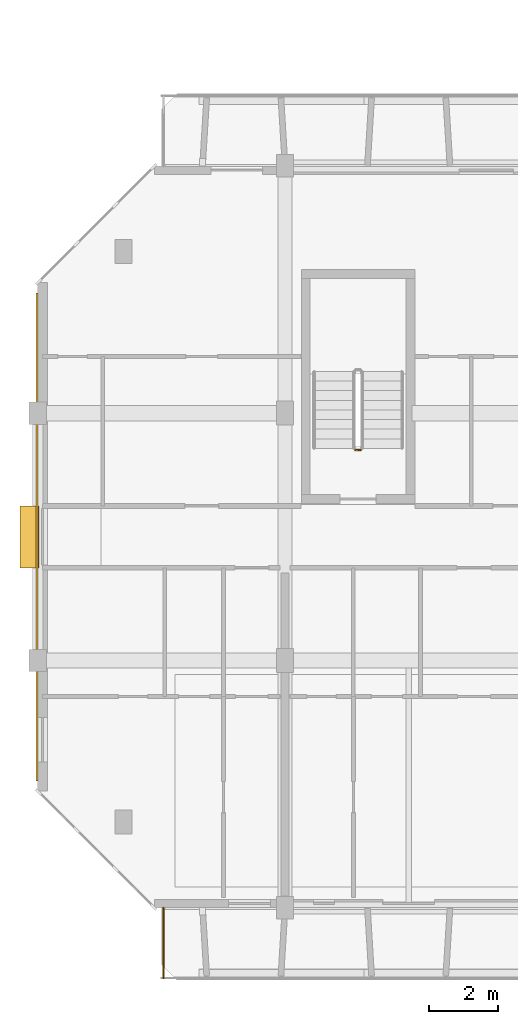
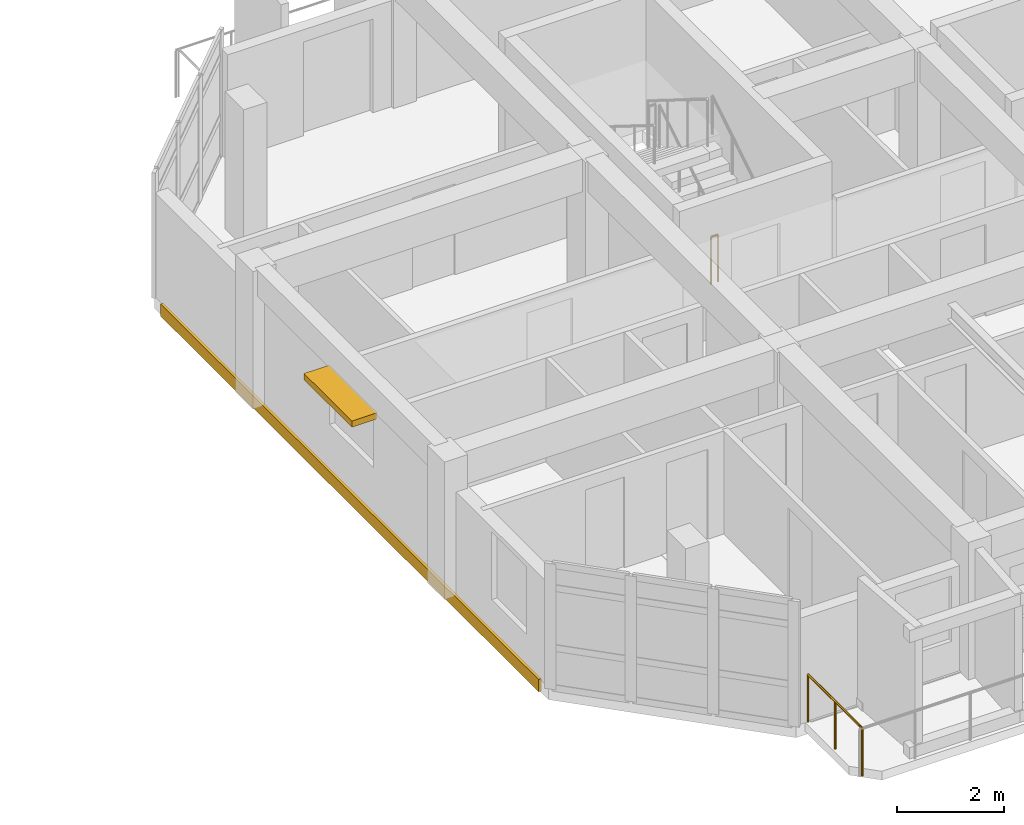
# One storey, part 33 of 43: 2 railings, 1 covering, 1 shading device.
"""IFC4 building model written with IfcOpenShell, lengths in metres."""

from ifc_helpers import new_model, si_unit, direction, frame, origin, origin_2d, place, context, subcontext, project, spatial, rectangle, circle, extrude, material, layer, layer_set, type_object, element, save


model = new_model("IFC4")

# Units and contexts
model_context = context("Model", 3, precision=1e-05, world=origin(), true_north=direction((0.0, 1.0)))
body_context = subcontext(model_context, "Body", "Model", "MODEL_VIEW")
ifc_project = project(units=[si_unit("LENGTHUNIT", "METRE"), si_unit("AREAUNIT", "SQUARE_METRE"), si_unit("VOLUMEUNIT", "CUBIC_METRE"), si_unit("PLANEANGLEUNIT", "RADIAN"), si_unit("MASSUNIT", "GRAM", prefix="KILO")], contexts=[model_context])

# Site, building, storey
site_placement = place(None, origin())
site = spatial("IfcSite", under=ifc_project, at=site_placement, CompositionType="ELEMENT")
building_placement = place(site_placement, origin())
building = spatial("IfcBuilding", under=site, at=building_placement, Name="Ochrevale Crest", CompositionType="ELEMENT")
storey_placement = place(building_placement, frame((0.0, 0.0, 15.0)))
storey = spatial("IfcBuildingStorey", under=building, at=storey_placement, Name="L04", CompositionType="ELEMENT", Elevation=15.0)

# Covering
ifc_material_1 = material(Name="Glazed terracotta rainscreen tile", Category="masonry")
ifc_layer = layer(ifc_material_1, 0.048095703125)
ifc_layer_set = layer_set([ifc_layer], Name="Glazed terracotta rainscreen tile")
covering_type = type_object("IfcCoveringType", Name="COV-CLAD-TER", PredefinedType="CLADDING", material=ifc_layer_set)
covering_placement = place(storey_placement, frame((-0.014404296875, 25.199951171875, -0.26025390625), z_axis=(0.0, 0.0, 1.0), x_axis=(0.0, -1.0, 0.0)))
element("IfcCovering", 1, at=covering_placement, inside=storey, type_object=covering_type, Name="Block A L04 terracotta slab-edge spandrel cladding", PredefinedType="CLADDING", context=body_context, shape_type="SweptSolid", body=[
    extrude(rectangle(XDim=14.199951171875, YDim=0.06005859375, at=origin_2d()), origin(), (0.0, 0.0, 1.0), 0.280029296875),
])

# Railings
ifc_material_2 = material(Name="Galvanised steel", Category="steel")
railing_type_1 = type_object("IfcRailingType", Name="RL-BAL-1100", PredefinedType="BALUSTRADE", material=ifc_material_2)
railing_1_placement = place(storey_placement, frame((3.659912109375, 14.39990234375, 0.0)))
element("IfcRailing", 2, at=railing_1_placement, inside=storey, type_object=railing_type_1, Name="Block A L04 S-W balcony side guard", PredefinedType="BALUSTRADE", context=body_context, shape_type="SweptSolid", body=[
    extrude(circle(Radius=0.02392578125, at=origin_2d()), frame((0.0, 0.0, 1.0859375), z_axis=(0.0, -1.0, 0.0), x_axis=(1.0, 0.0, 0.0)), (0.0, 0.0, 1.0), 2.039794921875),
    extrude(circle(Radius=0.02099609375, at=origin_2d()), origin(), (0.0, 0.0, 1.0), 1.06201171875),
    extrude(circle(Radius=0.02099609375, at=origin_2d()), frame((0.0, -1.02001953125, 0.0)), (0.0, 0.0, 1.0), 1.06201171875),
    extrude(circle(Radius=0.02099609375, at=origin_2d()), frame((0.0, -2.039794921875, 0.0)), (0.0, 0.0, 1.0), 1.06201171875),
])
railing_type_2 = type_object("IfcRailingType", Name="RL-ST-GUARD", PredefinedType="BALUSTRADE", material=ifc_material_2)
railing_2_placement = place(storey_placement, frame((9.39990234375, 27.72509765625, 0.0)))
element("IfcRailing", 3, at=railing_2_placement, inside=storey, type_object=railing_type_2, Name="L04 ST-A1 stair guard 4", PredefinedType="BALUSTRADE", context=body_context, shape_type="SweptSolid", body=[
    extrude(circle(Radius=0.02392578125, at=origin_2d()), frame((0.0, 0.0, 1.076171875), z_axis=(-1.0, 0.0, 0.0), x_axis=(0.0, -1.0, 0.0)), (0.0, 0.0, 1.0), 0.14990234375),
    extrude(circle(Radius=0.02099609375, at=origin_2d()), origin(), (0.0, 0.0, 1.0), 1.052001953125),
    extrude(circle(Radius=0.02099609375, at=origin_2d()), frame((-0.14990234375, 0.0, 0.0)), (0.0, 0.0, 1.0), 1.052001953125),
])

# Shading device
ifc_material_3 = material(Name="Anodised aluminium 6063-T5", Category="aluminium")
shading_device_type = type_object("IfcShadingDeviceType", Name="SHD-SUNSHADE-OC", PredefinedType="USERDEFINED", material=ifc_material_3)
shading_device_placement = place(storey_placement, frame((-0.239990234375, 25.199951171875, 2.2099609375), z_axis=(0.0, 0.0, 1.0), x_axis=(1.0, 0.0, 0.0)))
element("IfcShadingDevice", 4, at=shading_device_placement, inside=storey, type_object=shading_device_type, Name="Block A L04 gable window sunshade W", ObjectType="HORIZONTAL SUNSHADE", PredefinedType="USERDEFINED", context=body_context, shape_type="SweptSolid", body=[
    extrude(rectangle(XDim=0.550048828125, YDim=1.800048828125, at=origin_2d()), origin(), (0.0, 0.0, 1.0), 0.139892578125),
])

save(model, "model.ifc")
